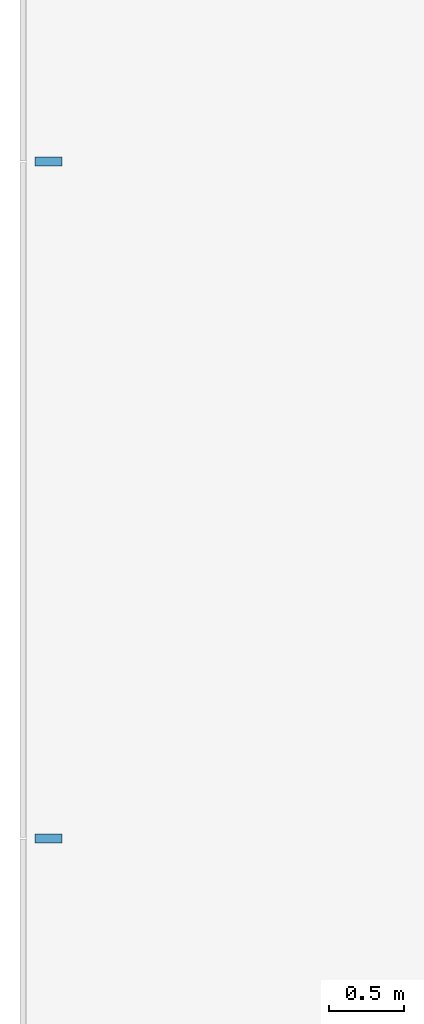
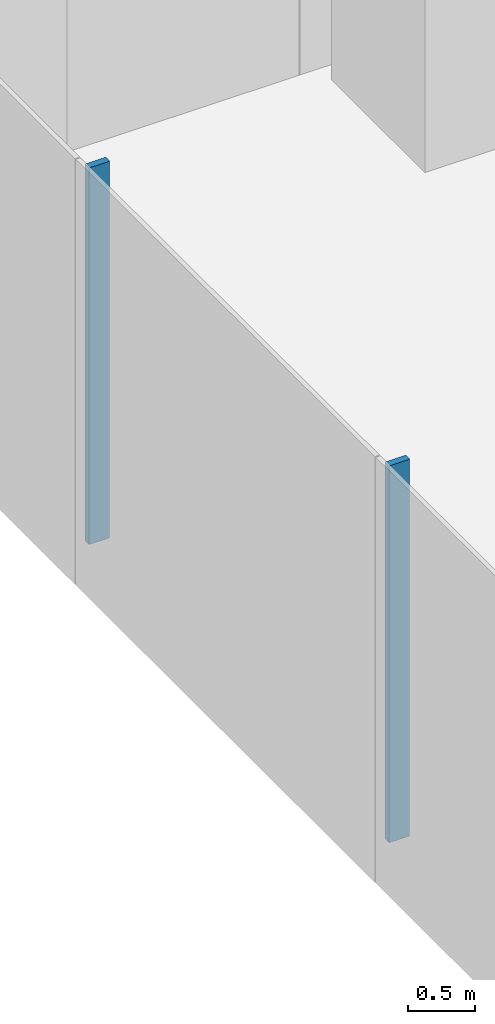
# One storey, part 4 of 21: 2 members, 1 element without a shape of its own.
"""IFC4 building model written with IfcOpenShell, lengths in metres."""

from ifc_helpers import new_model, si_unit, direction, frame, origin, origin_2d, place, context, subcontext, project, spatial, rectangle, extrude, material, layer, layer_set, material_profile, profile_set, type_object, element, aggregate, save


model = new_model("IFC4")

# Units and contexts
model_context = context("Model", 3, precision=1e-05, world=origin(), true_north=direction((0.0, 1.0)))
body_context = subcontext(model_context, "Body", "Model", "MODEL_VIEW")
ifc_project = project(units=[si_unit("LENGTHUNIT", "METRE"), si_unit("AREAUNIT", "SQUARE_METRE"), si_unit("VOLUMEUNIT", "CUBIC_METRE"), si_unit("PLANEANGLEUNIT", "RADIAN"), si_unit("MASSUNIT", "GRAM", prefix="KILO")], contexts=[model_context])

# Site, building, storey
site_placement = place(None, origin())
site = spatial("IfcSite", under=ifc_project, at=site_placement, CompositionType="ELEMENT")
building_placement = place(site_placement, origin())
building = spatial("IfcBuilding", under=site, at=building_placement, Name="Shamsa Quay Exchange Towers", CompositionType="ELEMENT")
storey_placement = place(building_placement, frame((0.0, 0.0, 65.39990234375)))
storey = spatial("IfcBuildingStorey", under=building, at=storey_placement, Name="L14", CompositionType="ELEMENT", Elevation=65.39990234375)

# Curtain wall, members
ifc_material = material(Name="Aluminium EN AW-6063 T6, black anodised", Category="aluminium")
ifc_layer = layer(ifc_material, 0.280029296875)
ifc_layer_set = layer_set([ifc_layer], Name="CW-1 UNITISED VISION GLASS")
curtain_wall_type = type_object("IfcCurtainWallType", Name="CW-1 UNITISED VISION GLASS", PredefinedType="NOTDEFINED", material=ifc_layer_set)
curtain_wall_placement = place(storey_placement, origin())
curtain_wall = element("IfcCurtainWall", 1, at=curtain_wall_placement, inside=storey, type_object=curtain_wall_type, Name="CW1 T1-END-U- L14", PredefinedType="NOTDEFINED")
ifc_material_profile = material_profile(ifc_material, rectangle(XDim=0.179931640625, YDim=0.06005859375, at=origin_2d()), Name="MU60x180")
ifc_profile_set = profile_set([ifc_material_profile], Name="Aluminium EN AW-6063 T6, black anodised")
member_type = type_object("IfcMemberType", Name="CW1 MULLION 60x180", PredefinedType="MULLION", material=ifc_profile_set)
member_1_placement = place(storey_placement, frame((-62.85009765625, 2.25, 0.0)))
member_1 = element("IfcMember", 2, at=member_1_placement, type_object=member_type, Name="CW1 mullion", PredefinedType="MULLION", context=body_context, shape_type="SweptSolid", body=[
    extrude(rectangle(XDim=0.179931640625, YDim=0.06005859375, at=origin_2d()), origin(), (0.0, 0.0, 1.0), 3.4501953125),
])
member_2_placement = place(storey_placement, frame((-62.85009765625, -2.25, 0.0)))
member_2 = element("IfcMember", 3, at=member_2_placement, type_object=member_type, Name="CW1 mullion", PredefinedType="MULLION", context=body_context, shape_type="SweptSolid", body=[
    extrude(rectangle(XDim=0.179931640625, YDim=0.06005859375, at=origin_2d()), origin(), (0.0, 0.0, 1.0), 3.4501953125),
])
aggregate(curtain_wall, [member_1, member_2])

save(model, "model.ifc")
